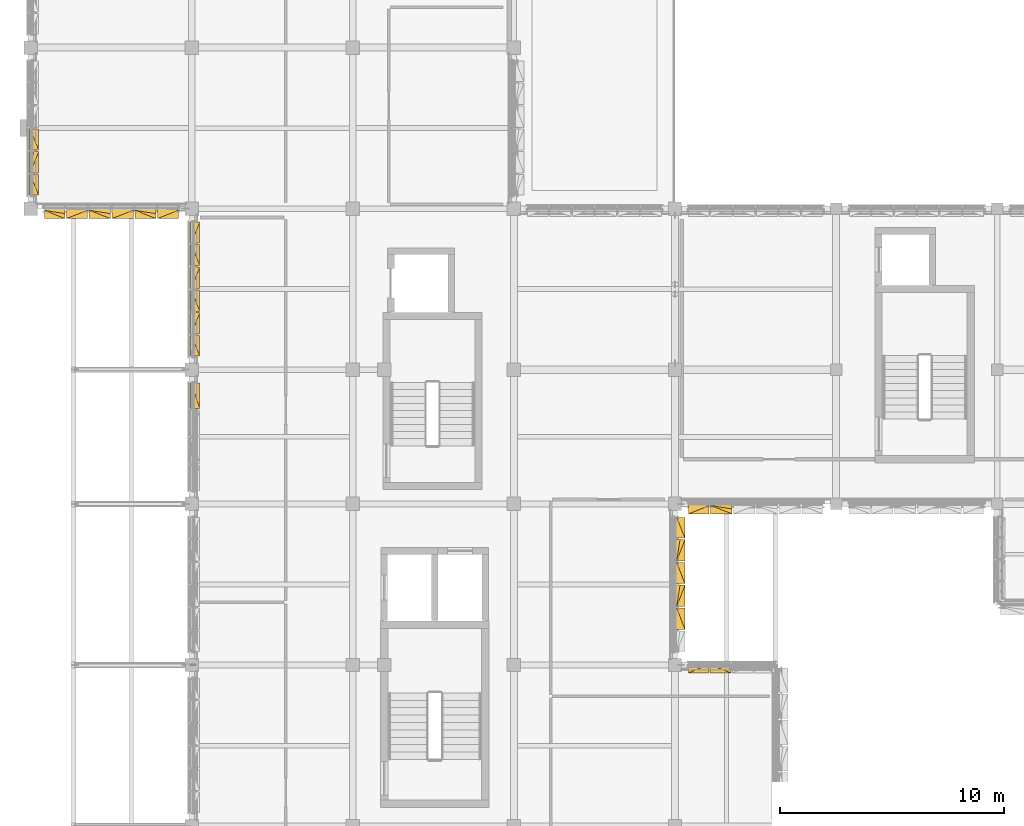
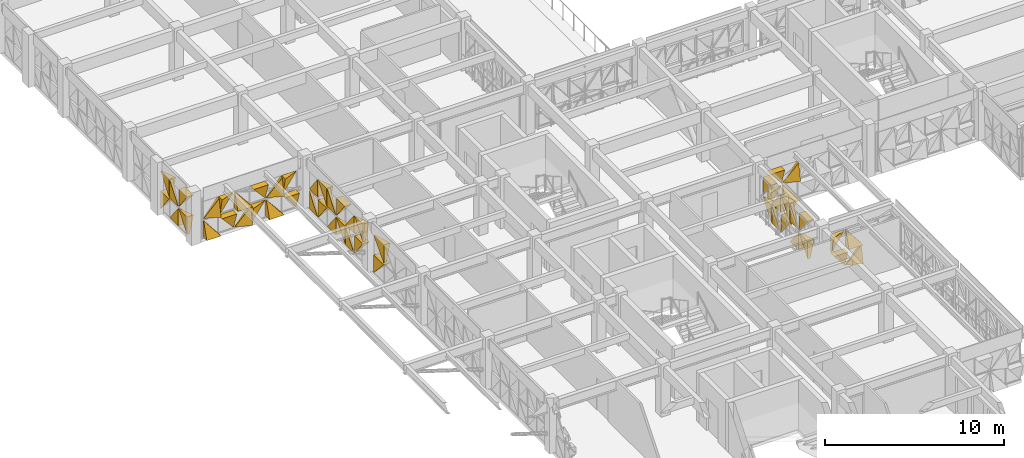
# One storey, part 90 of 99: 50 coverings.
"""IFC4 building model written with IfcOpenShell, lengths in metres."""

import ifcopenshell
import ifcopenshell.guid

model = None  # the IFC model being written
_history = None  # IfcOwnerHistory: only IFC2X3 demands one
_inside = {}  # id of a spatial element -> (the spatial element, [elements in it])
_under = {}  # id of a project, library or spatial element -> (it, [spatial elements below it])
_declared = {}  # id of a project -> (the project, [libraries it declares])
_typed = {}  # id of a type object -> (the type object, [elements of that type])
_made_of = {}  # id of a material, layer set ... -> (it, [elements and type objects made of it])


def new_model(schema):
    """Start an empty IFC model of exactly this schema.

    Asked for "IFC4X3", IfcOpenShell would pick the latest addendum, in which some entities
    have other attributes; the version numbers below select the first issue.
    IFC2X3 requires an IfcOwnerHistory on every rooted entity: one is made here for all.
    """
    global model, _history
    if schema == "IFC4X3":
        model = ifcopenshell.file(schema_version=(4, 3, 0, 0))
    else:
        model = ifcopenshell.file(schema=schema)
    _inside.clear()
    _under.clear()
    _declared.clear()
    _typed.clear()
    _made_of.clear()
    _history = None
    if model.schema == "IFC2X3":
        org = make("IfcOrganization", Name="unknown")
        user = make(
            "IfcPersonAndOrganization",
            ThePerson=make("IfcPerson", FamilyName="unknown"),
            TheOrganization=org,
        )
        app = make(
            "IfcApplication",
            ApplicationDeveloper=org,
            Version="unknown",
            ApplicationFullName="unknown",
            ApplicationIdentifier="unknown",
        )
        _history = make(
            "IfcOwnerHistory",
            OwningUser=user,
            OwningApplication=app,
            ChangeAction="ADDED",
            CreationDate=0,
        )
    return model


def make(cls, **values):
    """One entity of the class cls with the attributes given. An attribute that is None is left unset."""
    return model.create_entity(
        cls, **{name: value for name, value in values.items() if value is not None}
    )


def rooted(cls, **values):
    """An entity with a GlobalId (a new one), such as an element, a storey or a relation."""
    return make(cls, GlobalId=ifcopenshell.guid.new(), OwnerHistory=_history, **values)


def si_unit(unit_type, name, prefix=None):
    """IfcSIUnit, for example si_unit("LENGTHUNIT", "METRE", prefix="MILLI")."""
    return make("IfcSIUnit", UnitType=unit_type, Prefix=prefix, Name=name)


def assignment(units):
    """IfcUnitAssignment: the units of a project."""
    return None if units is None else make("IfcUnitAssignment", Units=units)


def point(xyz):
    """IfcCartesianPoint."""
    return None if xyz is None else make("IfcCartesianPoint", Coordinates=xyz)


def direction(xyz):
    """IfcDirection."""
    return None if xyz is None else make("IfcDirection", DirectionRatios=xyz)


def frame(location, z_axis=None, x_axis=None):
    """IfcAxis2Placement3D, a coordinate frame: its origin and axes. An axis left out is left unset."""
    return make(
        "IfcAxis2Placement3D",
        Location=point(location),
        Axis=direction(z_axis),
        RefDirection=direction(x_axis),
    )


def origin():
    """The frame at (0, 0, 0) with its axes left unset."""
    return frame((0.0, 0.0, 0.0))


def place(relative_to, where):
    """IfcLocalPlacement: puts the frame where relative to a parent placement (None: the world)."""
    return make(
        "IfcLocalPlacement", PlacementRelTo=relative_to, RelativePlacement=where
    )


def context(
    kind, dimensions, precision=None, world=None, true_north=None, identifier=None
):
    """IfcGeometricRepresentationContext, for example the 3D "Model" context."""
    return make(
        "IfcGeometricRepresentationContext",
        ContextIdentifier=identifier,
        ContextType=kind,
        CoordinateSpaceDimension=dimensions,
        Precision=precision,
        WorldCoordinateSystem=world,
        TrueNorth=true_north,
    )


def subcontext(parent, identifier, kind, view, scale=None):
    """IfcGeometricRepresentationSubContext, for example "Body" below "Model"."""
    return make(
        "IfcGeometricRepresentationSubContext",
        ContextIdentifier=identifier,
        ContextType=kind,
        ParentContext=parent,
        TargetScale=scale,
        TargetView=view,
    )


def project(units=None, contexts=None):
    """IfcProject with its units and contexts."""
    return rooted(
        "IfcProject",
        Name="project",
        RepresentationContexts=contexts,
        UnitsInContext=assignment(units),
    )


def spatial(cls, under=None, at=None, **own):
    """A site, building, storey or space (cls), placed at a placement, below another one or the project."""
    s = rooted(cls, ObjectPlacement=at, **own)
    if under is not None:
        _under.setdefault(under.id(), (under, []))[1].append(s)
    return s


def point_list(points):
    """IfcCartesianPointList2D or 3D."""
    cls = (
        "IfcCartesianPointList2D" if len(points[0]) == 2 else "IfcCartesianPointList3D"
    )
    return make(cls, CoordList=points)


def polygons(points, faces, closed=None, point_numbers=None):
    """IfcPolygonalFaceSet: a face is its outer loop, then its inner loops; points numbered from 1."""
    made = []
    for loops in faces:
        if len(loops) == 1:
            made.append(make("IfcIndexedPolygonalFace", CoordIndex=loops[0]))
        else:
            made.append(
                make(
                    "IfcIndexedPolygonalFaceWithVoids",
                    CoordIndex=loops[0],
                    InnerCoordIndices=loops[1:],
                )
            )
    return make(
        "IfcPolygonalFaceSet",
        Coordinates=point_list(points),
        Closed=closed,
        Faces=made,
        PnIndex=point_numbers,
    )


def shape(context_of_items, identifier, shape_type, items):
    """IfcShapeRepresentation: the items that make up one representation, for example the "Body"."""
    return make(
        "IfcShapeRepresentation",
        ContextOfItems=context_of_items,
        RepresentationIdentifier=identifier,
        RepresentationType=shape_type,
        Items=items,
    )


def material(Name=None, Category=None):
    """IfcMaterial."""
    return make("IfcMaterial", Name=Name, Category=Category)


def layer(
    of_material, thickness, ventilated=None, Name=None, Category=None, Priority=None
):
    """IfcMaterialLayer: one layer of a wall or slab, of a material (None: an air gap)."""
    return make(
        "IfcMaterialLayer",
        Material=of_material,
        LayerThickness=thickness,
        IsVentilated=ventilated,
        Name=Name,
        Category=Category,
        Priority=Priority,
    )


def layer_set(layers, Name=None):
    """IfcMaterialLayerSet."""
    return make("IfcMaterialLayerSet", MaterialLayers=layers, LayerSetName=Name)


def made_of(thing, what):
    """Note that an element or type object is made of a material, layer set ...; save() writes the relation."""
    if what is not None:
        _made_of.setdefault(what.id(), (what, []))[1].append(thing)
    return thing


def type_object(cls, material=None, **own):
    """A type object (cls), such as IfcWallType, which elements share."""
    return made_of(rooted(cls, **own), material)


def element(
    cls,
    number,
    at=None,
    inside=None,
    cuts=None,
    type_object=None,
    material=None,
    context=None,
    identifier="Body",
    shape_type=None,
    held_by="IfcProductDefinitionShape",
    body=None,
    shapes=None,
    **own,
):
    """One element of the class cls, such as IfcWall. Its Tag is "e" and its number.

    at: its placement. inside: the storey or other place that contains it. cuts: it is an
    opening in that element (IfcRelVoidsElement). A single representation is given by context,
    identifier, shape_type and body (its items); several are given by shapes. held_by: the class
    of the entity that holds the representations. save() writes the other relations.
    """
    e = rooted(cls, Tag="e%d" % number, ObjectPlacement=at, **own)
    if body is not None:
        shapes = [shape(context, identifier, shape_type, body)]
    if shapes is not None:
        e.Representation = make(held_by, Representations=shapes)
    if inside is not None:
        _inside.setdefault(inside.id(), (inside, []))[1].append(e)
    if cuts is not None:
        rooted(
            "IfcRelVoidsElement", RelatingBuildingElement=cuts, RelatedOpeningElement=e
        )
    if type_object is not None:
        _typed.setdefault(type_object.id(), (type_object, []))[1].append(e)
    return made_of(e, material)


def aggregate(whole, parts):
    """IfcRelAggregates: a whole, such as a stair, and the parts it consists of."""
    return rooted("IfcRelAggregates", RelatingObject=whole, RelatedObjects=parts)


def save(model, path):
    """Write the relations noted so far, then the file.

    IfcRelAggregates (storeys below a building ...), IfcRelContainedInSpatialStructure (elements
    in a storey), IfcRelDefinesByType, IfcRelAssociatesMaterial and IfcRelDeclares: one each for
    every whole, place, type object, material and project.
    """
    for whole, parts in _under.values():
        aggregate(whole, parts)
    for where, things in _inside.values():
        rooted(
            "IfcRelContainedInSpatialStructure",
            RelatedElements=things,
            RelatingStructure=where,
        )
    for kind, things in _typed.values():
        rooted("IfcRelDefinesByType", RelatedObjects=things, RelatingType=kind)
    for what, things in _made_of.values():
        rooted("IfcRelAssociatesMaterial", RelatedObjects=things, RelatingMaterial=what)
    for by, libraries in _declared.values():
        rooted("IfcRelDeclares", RelatingContext=by, RelatedDefinitions=libraries)
    model.write(path)


model = new_model("IFC4")

# Units and contexts
model_context = context("Model", 3, precision=1e-05, world=origin(), true_north=direction((0.0, 1.0)))
body_context = subcontext(model_context, "Body", "Model", "MODEL_VIEW")
ifc_project = project(units=[si_unit("LENGTHUNIT", "METRE"), si_unit("AREAUNIT", "SQUARE_METRE"), si_unit("VOLUMEUNIT", "CUBIC_METRE"), si_unit("PLANEANGLEUNIT", "RADIAN"), si_unit("MASSUNIT", "GRAM", prefix="KILO")], contexts=[model_context])

# Site, building, storey
site_placement = place(None, origin())
site = spatial("IfcSite", under=ifc_project, at=site_placement, CompositionType="ELEMENT")
building_placement = place(site_placement, origin())
building = spatial("IfcBuilding", under=site, at=building_placement, Name="Alvorim Cloister Faculty of Sciences", CompositionType="ELEMENT")
storey_placement = place(building_placement, frame((0.0, 0.0, 12.14990234375)))
storey = spatial("IfcBuildingStorey", under=building, at=storey_placement, Name="L03", CompositionType="ELEMENT", Elevation=12.14990234375)

# Coverings
ifc_material = material(Name="Perforated Bronze Alloy Sheet", Category="metal")
ifc_layer = layer(ifc_material, 0.0380859375)
ifc_layer_set = layer_set([ifc_layer], Name="Perforated Bronze Alloy Sheet")
covering_type = type_object("IfcCoveringType", Name="COV-TRI-BRZ", PredefinedType="CLADDING", material=ifc_layer_set)
covering_1_placement = place(storey_placement, frame((7.155029296875, 47.46240234375, 0.14013671875), z_axis=(0.0, 0.0, 1.0), x_axis=(0.0, 1.0, 0.0)))
element("IfcCovering", 1, at=covering_1_placement, inside=storey, type_object=covering_type, Name="Diagonal Solid Metal Triangle TRI-TR", PredefinedType="CLADDING", context=body_context, shape_type="Tessellation", body=[
    polygons([(1.132568359375, 0.0260009765625, 0.002), (1.132568359375, 0.0260009765625, 1.21484375), (0.002, 0.0260009765625, 1.21484375), (1.132568359375, -0.03, 0.002), (1.132568359375, -0.4, 1.21484375), (0.002, -0.4, 1.21484375)], [[[1, 3, 2]], [[4, 5, 6]], [[1, 2, 5, 4]], [[2, 3, 6, 5]], [[3, 1, 4, 6]]], closed=True),
])
covering_2_placement = place(storey_placement, frame((7.155029296875, 47.46240234375, 1.4951171875), z_axis=(0.0, 0.0, 1.0), x_axis=(0.0, 1.0, 0.0)))
element("IfcCovering", 2, at=covering_2_placement, inside=storey, type_object=covering_type, Name="Diagonal Solid Metal Triangle TRI-TL", PredefinedType="CLADDING", context=body_context, shape_type="Tessellation", body=[
    polygons([(1.130568359375, 0.0260009765625, 1.215087890625), (0.0, 0.0260009765625, 1.215087890625), (0.0, 0.0260009765625, 0.002), (1.130568359375, -0.03, 1.215087890625), (0.0, -0.4, 1.215087890625), (0.0, -0.13999999999999999, 0.002)], [[[1, 3, 2]], [[4, 5, 6]], [[1, 2, 5, 4]], [[2, 3, 6, 5]], [[3, 1, 4, 6]]], closed=True),
])
covering_3_placement = place(storey_placement, frame((7.155029296875, 49.804931640625, 0.14013671875), z_axis=(0.0, 0.0, 1.0), x_axis=(0.0, 1.0, 0.0)))
element("IfcCovering", 3, at=covering_3_placement, inside=storey, type_object=covering_type, Name="Diagonal Solid Metal Triangle TRI-TR", PredefinedType="CLADDING", context=body_context, shape_type="Tessellation", body=[
    polygons([(0.922607421875, 0.0260009765625, 0.002), (0.922607421875, 0.0260009765625, 1.21484375), (0.002, 0.0260009765625, 1.21484375), (0.922607421875, -0.03, 0.002), (0.922607421875, -0.4, 1.21484375), (0.002, -0.4, 1.21484375)], [[[1, 3, 2]], [[4, 5, 6]], [[1, 2, 5, 4]], [[2, 3, 6, 5]], [[3, 1, 4, 6]]], closed=True),
])
covering_4_placement = place(storey_placement, frame((7.155029296875, 49.804931640625, 1.4951171875), z_axis=(0.0, 0.0, 1.0), x_axis=(0.0, 1.0, 0.0)))
element("IfcCovering", 4, at=covering_4_placement, inside=storey, type_object=covering_type, Name="Diagonal Solid Metal Triangle TRI-TL", PredefinedType="CLADDING", context=body_context, shape_type="Tessellation", body=[
    polygons([(0.920607421875, 0.0260009765625, 1.215087890625), (0.0, 0.0260009765625, 1.215087890625), (0.0, 0.0260009765625, 0.002), (0.920607421875, -0.03, 1.215087890625), (0.0, -0.4, 1.215087890625), (0.0, -0.13999999999999999, 0.002)], [[[1, 3, 2]], [[4, 5, 6]], [[1, 2, 5, 4]], [[2, 3, 6, 5]], [[3, 1, 4, 6]]], closed=True),
])
covering_5_placement = place(storey_placement, frame((7.155029296875, 50.79248046875, 0.14013671875), z_axis=(0.0, 0.0, 1.0), x_axis=(0.0, 1.0, 0.0)))
element("IfcCovering", 5, at=covering_5_placement, inside=storey, type_object=covering_type, Name="Diagonal Solid Metal Triangle TRI-BR", PredefinedType="CLADDING", context=body_context, shape_type="Tessellation", body=[
    polygons([(0.002, 0.0260009765625, 0.0), (0.955078125, 0.0260009765625, 0.0), (0.955078125, 0.0260009765625, 1.21284375), (0.002, -0.03, 0.0), (0.955078125, -0.4, 0.0), (0.955078125, -0.18000000000000002, 1.21284375)], [[[1, 3, 2]], [[4, 5, 6]], [[1, 2, 5, 4]], [[2, 3, 6, 5]], [[3, 1, 4, 6]]], closed=True),
])
covering_6_placement = place(storey_placement, frame((7.155029296875, 50.79248046875, 1.4951171875), z_axis=(0.0, 0.0, 1.0), x_axis=(0.0, 1.0, 0.0)))
element("IfcCovering", 6, at=covering_6_placement, inside=storey, type_object=covering_type, Name="Diagonal Solid Metal Triangle TRI-BL", PredefinedType="CLADDING", context=body_context, shape_type="Tessellation", body=[
    polygons([(0.0, 0.0260009765625, 0.0), (0.953078125, 0.0260009765625, 0.0), (0.0, 0.0260009765625, 1.213087890625), (0.0, -0.4, 0.0), (0.953078125, -0.4, 0.0), (0.0, -0.03, 1.213087890625)], [[[1, 3, 2]], [[4, 5, 6]], [[1, 2, 5, 4]], [[2, 3, 6, 5]], [[3, 1, 4, 6]]], closed=True),
])
covering_7_placement = place(storey_placement, frame((7.155029296875, 51.8125, 0.14013671875), z_axis=(0.0, 0.0, 1.0), x_axis=(0.0, 1.0, 0.0)))
element("IfcCovering", 7, at=covering_7_placement, inside=storey, type_object=covering_type, Name="Diagonal Solid Metal Triangle TRI-TL", PredefinedType="CLADDING", context=body_context, shape_type="Tessellation", body=[
    polygons([(0.953078125, 0.0260009765625, 1.21484375), (0.0, 0.0260009765625, 1.21484375), (0.0, 0.0260009765625, 0.002), (0.953078125, -0.03, 1.21484375), (0.0, -0.4, 1.21484375), (0.0, -0.13999999999999999, 0.002)], [[[1, 3, 2]], [[4, 5, 6]], [[1, 2, 5, 4]], [[2, 3, 6, 5]], [[3, 1, 4, 6]]], closed=True),
])
covering_8_placement = place(storey_placement, frame((7.155029296875, 51.8125, 1.4951171875), z_axis=(0.0, 0.0, 1.0), x_axis=(0.0, 1.0, 0.0)))
element("IfcCovering", 8, at=covering_8_placement, inside=storey, type_object=covering_type, Name="Diagonal Solid Metal Triangle TRI-TR", PredefinedType="CLADDING", context=body_context, shape_type="Tessellation", body=[
    polygons([(0.955078125, 0.0260009765625, 0.002), (0.955078125, 0.0260009765625, 1.215087890625), (0.002, 0.0260009765625, 1.215087890625), (0.955078125, -0.03, 0.002), (0.955078125, -0.4, 1.215087890625), (0.002, -0.4, 1.215087890625)], [[[1, 3, 2]], [[4, 5, 6]], [[1, 2, 5, 4]], [[2, 3, 6, 5]], [[3, 1, 4, 6]]], closed=True),
])
covering_9_placement = place(storey_placement, frame((7.155029296875, 52.83251953125, 0.14013671875), z_axis=(0.0, 0.0, 1.0), x_axis=(0.0, 1.0, 0.0)))
element("IfcCovering", 9, at=covering_9_placement, inside=storey, type_object=covering_type, Name="Diagonal Solid Metal Triangle TRI-BL", PredefinedType="CLADDING", context=body_context, shape_type="Tessellation", body=[
    polygons([(0.0, 0.0260009765625, 0.0), (0.953078125, 0.0260009765625, 0.0), (0.0, 0.0260009765625, 1.21284375), (0.0, -0.4, 0.0), (0.953078125, -0.4, 0.0), (0.0, -0.03, 1.21284375)], [[[1, 3, 2]], [[4, 5, 6]], [[1, 2, 5, 4]], [[2, 3, 6, 5]], [[3, 1, 4, 6]]], closed=True),
])
covering_10_placement = place(storey_placement, frame((7.155029296875, 52.83251953125, 1.4951171875), z_axis=(0.0, 0.0, 1.0), x_axis=(0.0, 1.0, 0.0)))
element("IfcCovering", 10, at=covering_10_placement, inside=storey, type_object=covering_type, Name="Diagonal Solid Metal Triangle TRI-BR", PredefinedType="CLADDING", context=body_context, shape_type="Tessellation", body=[
    polygons([(0.002, 0.0260009765625, 0.0), (0.955078125, 0.0260009765625, 0.0), (0.955078125, 0.0260009765625, 1.213087890625), (0.002, -0.03, 0.0), (0.955078125, -0.4, 0.0), (0.955078125, -0.18000000000000002, 1.213087890625)], [[[1, 3, 2]], [[4, 5, 6]], [[1, 2, 5, 4]], [[2, 3, 6, 5]], [[3, 1, 4, 6]]], closed=True),
])
covering_11_placement = place(storey_placement, frame((7.155029296875, 53.8525390625, 0.14013671875), z_axis=(0.0, 0.0, 1.0), x_axis=(0.0, 1.0, 0.0)))
element("IfcCovering", 11, at=covering_11_placement, inside=storey, type_object=covering_type, Name="Diagonal Solid Metal Triangle TRI-TR", PredefinedType="CLADDING", context=body_context, shape_type="Tessellation", body=[
    polygons([(0.955078125, 0.0260009765625, 0.002), (0.955078125, 0.0260009765625, 1.21484375), (0.002, 0.0260009765625, 1.21484375), (0.955078125, -0.03, 0.002), (0.955078125, -0.4, 1.21484375), (0.002, -0.4, 1.21484375)], [[[1, 3, 2]], [[4, 5, 6]], [[1, 2, 5, 4]], [[2, 3, 6, 5]], [[3, 1, 4, 6]]], closed=True),
])
covering_12_placement = place(storey_placement, frame((7.155029296875, 53.8525390625, 1.4951171875), z_axis=(0.0, 0.0, 1.0), x_axis=(0.0, 1.0, 0.0)))
element("IfcCovering", 12, at=covering_12_placement, inside=storey, type_object=covering_type, Name="Diagonal Solid Metal Triangle TRI-TL", PredefinedType="CLADDING", context=body_context, shape_type="Tessellation", body=[
    polygons([(0.953078125, 0.0260009765625, 1.215087890625), (0.0, 0.0260009765625, 1.215087890625), (0.0, 0.0260009765625, 0.002), (0.953078125, -0.03, 1.215087890625), (0.0, -0.4, 1.215087890625), (0.0, -0.13999999999999999, 0.002)], [[[1, 3, 2]], [[4, 5, 6]], [[1, 2, 5, 4]], [[2, 3, 6, 5]], [[3, 1, 4, 6]]], closed=True),
])
covering_13_placement = place(storey_placement, frame((7.155029296875, 54.87255859375, 0.14013671875), z_axis=(0.0, 0.0, 1.0), x_axis=(0.0, 1.0, 0.0)))
element("IfcCovering", 13, at=covering_13_placement, inside=storey, type_object=covering_type, Name="Diagonal Solid Metal Triangle TRI-BR", PredefinedType="CLADDING", context=body_context, shape_type="Tessellation", body=[
    polygons([(0.002, 0.0260009765625, 0.0), (0.922607421875, 0.0260009765625, 0.0), (0.922607421875, 0.0260009765625, 1.21284375), (0.002, -0.03, 0.0), (0.922607421875, -0.4, 0.0), (0.922607421875, -0.18000000000000002, 1.21284375)], [[[1, 3, 2]], [[4, 5, 6]], [[1, 2, 5, 4]], [[2, 3, 6, 5]], [[3, 1, 4, 6]]], closed=True),
])
covering_14_placement = place(storey_placement, frame((7.155029296875, 54.87255859375, 1.4951171875), z_axis=(0.0, 0.0, 1.0), x_axis=(0.0, 1.0, 0.0)))
element("IfcCovering", 14, at=covering_14_placement, inside=storey, type_object=covering_type, Name="Diagonal Solid Metal Triangle TRI-BL", PredefinedType="CLADDING", context=body_context, shape_type="Tessellation", body=[
    polygons([(0.0, 0.0260009765625, 0.0), (0.920607421875, 0.0260009765625, 0.0), (0.0, 0.0260009765625, 1.213087890625), (0.0, -0.4, 0.0), (0.920607421875, -0.4, 0.0), (0.0, -0.03, 1.213087890625)], [[[1, 3, 2]], [[4, 5, 6]], [[1, 2, 5, 4]], [[2, 3, 6, 5]], [[3, 1, 4, 6]]], closed=True),
])
covering_15_placement = place(storey_placement, frame((0.60498046875, 56.35498046875, 0.14013671875), z_axis=(0.0, 0.0, 1.0), x_axis=(1.0, 0.0, 0.0)))
element("IfcCovering", 15, at=covering_15_placement, inside=storey, type_object=covering_type, Name="Diagonal Solid Metal Triangle TRI-BL", PredefinedType="CLADDING", context=body_context, shape_type="Tessellation", body=[
    polygons([(0.0, 0.0260009765625, 0.0), (0.920607421875, 0.0260009765625, 0.0), (0.0, 0.0260009765625, 1.14106640625), (0.0, -0.4, 0.0), (0.920607421875, -0.4, 0.0), (0.0, -0.03, 1.14106640625)], [[[1, 3, 2]], [[4, 5, 6]], [[1, 2, 5, 4]], [[2, 3, 6, 5]], [[3, 1, 4, 6]]], closed=True),
])
covering_16_placement = place(storey_placement, frame((0.60498046875, 56.35498046875, 1.423095703125), z_axis=(0.0, 0.0, 1.0), x_axis=(1.0, 0.0, 0.0)))
element("IfcCovering", 16, at=covering_16_placement, inside=storey, type_object=covering_type, Name="Diagonal Solid Metal Triangle TRI-BR", PredefinedType="CLADDING", context=body_context, shape_type="Tessellation", body=[
    polygons([(0.002, 0.0260009765625, 0.0), (0.922607421875, 0.0260009765625, 0.0), (0.922607421875, 0.0260009765625, 1.14106640625), (0.002, -0.03, 0.0), (0.922607421875, -0.4, 0.0), (0.922607421875, -0.18000000000000002, 1.14106640625)], [[[1, 3, 2]], [[4, 5, 6]], [[1, 2, 5, 4]], [[2, 3, 6, 5]], [[3, 1, 4, 6]]], closed=True),
])
covering_17_placement = place(storey_placement, frame((1.592529296875, 56.35498046875, 0.14013671875), z_axis=(0.0, 0.0, 1.0), x_axis=(1.0, 0.0, 0.0)))
element("IfcCovering", 17, at=covering_17_placement, inside=storey, type_object=covering_type, Name="Diagonal Solid Metal Triangle TRI-TR", PredefinedType="CLADDING", context=body_context, shape_type="Tessellation", body=[
    polygons([(0.955078125, 0.0260009765625, 0.002), (0.955078125, 0.0260009765625, 1.14306640625), (0.002, 0.0260009765625, 1.14306640625), (0.955078125, -0.03, 0.002), (0.955078125, -0.4, 1.14306640625), (0.002, -0.4, 1.14306640625)], [[[1, 3, 2]], [[4, 5, 6]], [[1, 2, 5, 4]], [[2, 3, 6, 5]], [[3, 1, 4, 6]]], closed=True),
])
covering_18_placement = place(storey_placement, frame((1.592529296875, 56.35498046875, 1.423095703125), z_axis=(0.0, 0.0, 1.0), x_axis=(1.0, 0.0, 0.0)))
element("IfcCovering", 18, at=covering_18_placement, inside=storey, type_object=covering_type, Name="Diagonal Solid Metal Triangle TRI-TL", PredefinedType="CLADDING", context=body_context, shape_type="Tessellation", body=[
    polygons([(0.953078125, 0.0260009765625, 1.14306640625), (0.0, 0.0260009765625, 1.14306640625), (0.0, 0.0260009765625, 0.002), (0.953078125, -0.03, 1.14306640625), (0.0, -0.4, 1.14306640625), (0.0, -0.13999999999999999, 0.002)], [[[1, 3, 2]], [[4, 5, 6]], [[1, 2, 5, 4]], [[2, 3, 6, 5]], [[3, 1, 4, 6]]], closed=True),
])
covering_19_placement = place(storey_placement, frame((2.612548828125, 56.35498046875, 0.14013671875), z_axis=(0.0, 0.0, 1.0), x_axis=(1.0, 0.0, 0.0)))
element("IfcCovering", 19, at=covering_19_placement, inside=storey, type_object=covering_type, Name="Diagonal Solid Metal Triangle TRI-BR", PredefinedType="CLADDING", context=body_context, shape_type="Tessellation", body=[
    polygons([(0.002, 0.0260009765625, 0.0), (0.955078125, 0.0260009765625, 0.0), (0.955078125, 0.0260009765625, 1.14106640625), (0.002, -0.03, 0.0), (0.955078125, -0.4, 0.0), (0.955078125, -0.18000000000000002, 1.14106640625)], [[[1, 3, 2]], [[4, 5, 6]], [[1, 2, 5, 4]], [[2, 3, 6, 5]], [[3, 1, 4, 6]]], closed=True),
])
covering_20_placement = place(storey_placement, frame((2.612548828125, 56.35498046875, 1.423095703125), z_axis=(0.0, 0.0, 1.0), x_axis=(1.0, 0.0, 0.0)))
element("IfcCovering", 20, at=covering_20_placement, inside=storey, type_object=covering_type, Name="Diagonal Solid Metal Triangle TRI-BL", PredefinedType="CLADDING", context=body_context, shape_type="Tessellation", body=[
    polygons([(0.0, 0.0260009765625, 0.0), (0.953078125, 0.0260009765625, 0.0), (0.0, 0.0260009765625, 1.14106640625), (0.0, -0.4, 0.0), (0.953078125, -0.4, 0.0), (0.0, -0.03, 1.14106640625)], [[[1, 3, 2]], [[4, 5, 6]], [[1, 2, 5, 4]], [[2, 3, 6, 5]], [[3, 1, 4, 6]]], closed=True),
])
covering_21_placement = place(storey_placement, frame((3.632568359375, 56.35498046875, 0.14013671875), z_axis=(0.0, 0.0, 1.0), x_axis=(1.0, 0.0, 0.0)))
element("IfcCovering", 21, at=covering_21_placement, inside=storey, type_object=covering_type, Name="Diagonal Solid Metal Triangle TRI-TL", PredefinedType="CLADDING", context=body_context, shape_type="Tessellation", body=[
    polygons([(0.953078125, 0.0260009765625, 1.14306640625), (0.0, 0.0260009765625, 1.14306640625), (0.0, 0.0260009765625, 0.002), (0.953078125, -0.03, 1.14306640625), (0.0, -0.4, 1.14306640625), (0.0, -0.13999999999999999, 0.002)], [[[1, 3, 2]], [[4, 5, 6]], [[1, 2, 5, 4]], [[2, 3, 6, 5]], [[3, 1, 4, 6]]], closed=True),
])
covering_22_placement = place(storey_placement, frame((3.632568359375, 56.35498046875, 1.423095703125), z_axis=(0.0, 0.0, 1.0), x_axis=(1.0, 0.0, 0.0)))
element("IfcCovering", 22, at=covering_22_placement, inside=storey, type_object=covering_type, Name="Diagonal Solid Metal Triangle TRI-TR", PredefinedType="CLADDING", context=body_context, shape_type="Tessellation", body=[
    polygons([(0.955078125, 0.0260009765625, 0.002), (0.955078125, 0.0260009765625, 1.14306640625), (0.002, 0.0260009765625, 1.14306640625), (0.955078125, -0.03, 0.002), (0.955078125, -0.4, 1.14306640625), (0.002, -0.4, 1.14306640625)], [[[1, 3, 2]], [[4, 5, 6]], [[1, 2, 5, 4]], [[2, 3, 6, 5]], [[3, 1, 4, 6]]], closed=True),
])
covering_23_placement = place(storey_placement, frame((4.652587890625, 56.35498046875, 0.14013671875), z_axis=(0.0, 0.0, 1.0), x_axis=(1.0, 0.0, 0.0)))
element("IfcCovering", 23, at=covering_23_placement, inside=storey, type_object=covering_type, Name="Diagonal Solid Metal Triangle TRI-BL", PredefinedType="CLADDING", context=body_context, shape_type="Tessellation", body=[
    polygons([(0.0, 0.0260009765625, 0.0), (0.953078125, 0.0260009765625, 0.0), (0.0, 0.0260009765625, 1.14106640625), (0.0, -0.4, 0.0), (0.953078125, -0.4, 0.0), (0.0, -0.03, 1.14106640625)], [[[1, 3, 2]], [[4, 5, 6]], [[1, 2, 5, 4]], [[2, 3, 6, 5]], [[3, 1, 4, 6]]], closed=True),
])
covering_24_placement = place(storey_placement, frame((4.652587890625, 56.35498046875, 1.423095703125), z_axis=(0.0, 0.0, 1.0), x_axis=(1.0, 0.0, 0.0)))
element("IfcCovering", 24, at=covering_24_placement, inside=storey, type_object=covering_type, Name="Diagonal Solid Metal Triangle TRI-BR", PredefinedType="CLADDING", context=body_context, shape_type="Tessellation", body=[
    polygons([(0.002, 0.0260009765625, 0.0), (0.955078125, 0.0260009765625, 0.0), (0.955078125, 0.0260009765625, 1.14106640625), (0.002, -0.03, 0.0), (0.955078125, -0.4, 0.0), (0.955078125, -0.18000000000000002, 1.14106640625)], [[[1, 3, 2]], [[4, 5, 6]], [[1, 2, 5, 4]], [[2, 3, 6, 5]], [[3, 1, 4, 6]]], closed=True),
])
covering_25_placement = place(storey_placement, frame((5.672607421875, 56.35498046875, 0.14013671875), z_axis=(0.0, 0.0, 1.0), x_axis=(1.0, 0.0, 0.0)))
element("IfcCovering", 25, at=covering_25_placement, inside=storey, type_object=covering_type, Name="Diagonal Solid Metal Triangle TRI-TR", PredefinedType="CLADDING", context=body_context, shape_type="Tessellation", body=[
    polygons([(0.922607421875, 0.0260009765625, 0.002), (0.922607421875, 0.0260009765625, 1.14306640625), (0.002, 0.0260009765625, 1.14306640625), (0.922607421875, -0.03, 0.002), (0.922607421875, -0.4, 1.14306640625), (0.002, -0.4, 1.14306640625)], [[[1, 3, 2]], [[4, 5, 6]], [[1, 2, 5, 4]], [[2, 3, 6, 5]], [[3, 1, 4, 6]]], closed=True),
])
covering_26_placement = place(storey_placement, frame((5.672607421875, 56.35498046875, 1.423095703125), z_axis=(0.0, 0.0, 1.0), x_axis=(1.0, 0.0, 0.0)))
element("IfcCovering", 26, at=covering_26_placement, inside=storey, type_object=covering_type, Name="Diagonal Solid Metal Triangle TRI-TL", PredefinedType="CLADDING", context=body_context, shape_type="Tessellation", body=[
    polygons([(0.920607421875, 0.0260009765625, 1.14306640625), (0.0, 0.0260009765625, 1.14306640625), (0.0, 0.0260009765625, 0.002), (0.920607421875, -0.03, 1.14306640625), (0.0, -0.4, 1.14306640625), (0.0, -0.13999999999999999, 0.002)], [[[1, 3, 2]], [[4, 5, 6]], [[1, 2, 5, 4]], [[2, 3, 6, 5]], [[3, 1, 4, 6]]], closed=True),
])
covering_27_placement = place(storey_placement, frame((-0.044921875, 57.0048828125, 0.14013671875), z_axis=(0.0, 0.0, 1.0), x_axis=(0.0, 1.0, 0.0)))
element("IfcCovering", 27, at=covering_27_placement, inside=storey, type_object=covering_type, Name="Diagonal Solid Metal Triangle TRI-TL", PredefinedType="CLADDING", context=body_context, shape_type="Tessellation", body=[
    polygons([(0.920607421875, 0.0260009765625, 1.21484375), (0.0, 0.0260009765625, 1.21484375), (0.0, 0.0260009765625, 0.002), (0.920607421875, -0.03, 1.21484375), (0.0, -0.4, 1.21484375), (0.0, -0.13999999999999999, 0.002)], [[[1, 3, 2]], [[4, 5, 6]], [[1, 2, 5, 4]], [[2, 3, 6, 5]], [[3, 1, 4, 6]]], closed=True),
])
covering_28_placement = place(storey_placement, frame((-0.044921875, 57.0048828125, 1.4951171875), z_axis=(0.0, 0.0, 1.0), x_axis=(0.0, 1.0, 0.0)))
element("IfcCovering", 28, at=covering_28_placement, inside=storey, type_object=covering_type, Name="Diagonal Solid Metal Triangle TRI-TR", PredefinedType="CLADDING", context=body_context, shape_type="Tessellation", body=[
    polygons([(0.922607421875, 0.0260009765625, 0.002), (0.922607421875, 0.0260009765625, 1.215087890625), (0.002, 0.0260009765625, 1.215087890625), (0.922607421875, -0.03, 0.002), (0.922607421875, -0.4, 1.215087890625), (0.002, -0.4, 1.215087890625)], [[[1, 3, 2]], [[4, 5, 6]], [[1, 2, 5, 4]], [[2, 3, 6, 5]], [[3, 1, 4, 6]]], closed=True),
])
covering_29_placement = place(storey_placement, frame((-0.044921875, 57.992431640625, 0.14013671875), z_axis=(0.0, 0.0, 1.0), x_axis=(0.0, 1.0, 0.0)))
element("IfcCovering", 29, at=covering_29_placement, inside=storey, type_object=covering_type, Name="Diagonal Solid Metal Triangle TRI-BL", PredefinedType="CLADDING", context=body_context, shape_type="Tessellation", body=[
    polygons([(0.0, 0.0260009765625, 0.0), (0.953078125, 0.0260009765625, 0.0), (0.0, 0.0260009765625, 1.21284375), (0.0, -0.4, 0.0), (0.953078125, -0.4, 0.0), (0.0, -0.03, 1.21284375)], [[[1, 3, 2]], [[4, 5, 6]], [[1, 2, 5, 4]], [[2, 3, 6, 5]], [[3, 1, 4, 6]]], closed=True),
])
covering_30_placement = place(storey_placement, frame((-0.044921875, 57.992431640625, 1.4951171875), z_axis=(0.0, 0.0, 1.0), x_axis=(0.0, 1.0, 0.0)))
element("IfcCovering", 30, at=covering_30_placement, inside=storey, type_object=covering_type, Name="Diagonal Solid Metal Triangle TRI-BR", PredefinedType="CLADDING", context=body_context, shape_type="Tessellation", body=[
    polygons([(0.002, 0.0260009765625, 0.0), (0.955078125, 0.0260009765625, 0.0), (0.955078125, 0.0260009765625, 1.213087890625), (0.002, -0.03, 0.0), (0.955078125, -0.4, 0.0), (0.955078125, -0.18000000000000002, 1.213087890625)], [[[1, 3, 2]], [[4, 5, 6]], [[1, 2, 5, 4]], [[2, 3, 6, 5]], [[3, 1, 4, 6]]], closed=True),
])
covering_31_placement = place(storey_placement, frame((-0.044921875, 59.012451171875, 0.14013671875), z_axis=(0.0, 0.0, 1.0), x_axis=(0.0, 1.0, 0.0)))
element("IfcCovering", 31, at=covering_31_placement, inside=storey, type_object=covering_type, Name="Diagonal Solid Metal Triangle TRI-TR", PredefinedType="CLADDING", context=body_context, shape_type="Tessellation", body=[
    polygons([(0.955078125, 0.0260009765625, 0.002), (0.955078125, 0.0260009765625, 1.21484375), (0.002, 0.0260009765625, 1.21484375), (0.955078125, -0.03, 0.002), (0.955078125, -0.4, 1.21484375), (0.002, -0.4, 1.21484375)], [[[1, 3, 2]], [[4, 5, 6]], [[1, 2, 5, 4]], [[2, 3, 6, 5]], [[3, 1, 4, 6]]], closed=True),
])
covering_32_placement = place(storey_placement, frame((-0.044921875, 59.012451171875, 1.4951171875), z_axis=(0.0, 0.0, 1.0), x_axis=(0.0, 1.0, 0.0)))
element("IfcCovering", 32, at=covering_32_placement, inside=storey, type_object=covering_type, Name="Diagonal Solid Metal Triangle TRI-TL", PredefinedType="CLADDING", context=body_context, shape_type="Tessellation", body=[
    polygons([(0.953078125, 0.0260009765625, 1.215087890625), (0.0, 0.0260009765625, 1.215087890625), (0.0, 0.0260009765625, 0.002), (0.953078125, -0.03, 1.215087890625), (0.0, -0.4, 1.215087890625), (0.0, -0.13999999999999999, 0.002)], [[[1, 3, 2]], [[4, 5, 6]], [[1, 2, 5, 4]], [[2, 3, 6, 5]], [[3, 1, 4, 6]]], closed=True),
])
covering_33_placement = place(storey_placement, frame((29.405029296875, 43.155029296875, 0.14013671875), z_axis=(0.0, 0.0, 1.0), x_axis=(1.0, 0.0, 0.0)))
element("IfcCovering", 33, at=covering_33_placement, inside=storey, type_object=covering_type, Name="Diagonal Solid Metal Triangle TRI-TL", PredefinedType="CLADDING", context=body_context, shape_type="Tessellation", body=[
    polygons([(0.920607421875, 0.0260009765625, 1.14306640625), (0.0, 0.0260009765625, 1.14306640625), (0.0, 0.0260009765625, 0.002), (0.920607421875, -0.03, 1.14306640625), (0.0, -0.4, 1.14306640625), (0.0, -0.13999999999999999, 0.002)], [[[1, 3, 2]], [[4, 5, 6]], [[1, 2, 5, 4]], [[2, 3, 6, 5]], [[3, 1, 4, 6]]], closed=True),
])
covering_34_placement = place(storey_placement, frame((29.405029296875, 43.155029296875, 1.423095703125), z_axis=(0.0, 0.0, 1.0), x_axis=(1.0, 0.0, 0.0)))
element("IfcCovering", 34, at=covering_34_placement, inside=storey, type_object=covering_type, Name="Diagonal Solid Metal Triangle TRI-TR", PredefinedType="CLADDING", context=body_context, shape_type="Tessellation", body=[
    polygons([(0.922607421875, 0.0260009765625, 0.002), (0.922607421875, 0.0260009765625, 1.14306640625), (0.002, 0.0260009765625, 1.14306640625), (0.922607421875, -0.03, 0.002), (0.922607421875, -0.4, 1.14306640625), (0.002, -0.4, 1.14306640625)], [[[1, 3, 2]], [[4, 5, 6]], [[1, 2, 5, 4]], [[2, 3, 6, 5]], [[3, 1, 4, 6]]], closed=True),
])
covering_35_placement = place(storey_placement, frame((30.392578125, 43.155029296875, 0.14013671875), z_axis=(0.0, 0.0, 1.0), x_axis=(1.0, 0.0, 0.0)))
element("IfcCovering", 35, at=covering_35_placement, inside=storey, type_object=covering_type, Name="Diagonal Solid Metal Triangle TRI-BL", PredefinedType="CLADDING", context=body_context, shape_type="Tessellation", body=[
    polygons([(0.0, 0.0260009765625, 0.0), (0.953078125, 0.0260009765625, 0.0), (0.0, 0.0260009765625, 1.14106640625), (0.0, -0.4, 0.0), (0.953078125, -0.4, 0.0), (0.0, -0.03, 1.14106640625)], [[[1, 3, 2]], [[4, 5, 6]], [[1, 2, 5, 4]], [[2, 3, 6, 5]], [[3, 1, 4, 6]]], closed=True),
])
covering_36_placement = place(storey_placement, frame((30.392578125, 43.155029296875, 1.423095703125), z_axis=(0.0, 0.0, 1.0), x_axis=(1.0, 0.0, 0.0)))
element("IfcCovering", 36, at=covering_36_placement, inside=storey, type_object=covering_type, Name="Diagonal Solid Metal Triangle TRI-BR", PredefinedType="CLADDING", context=body_context, shape_type="Tessellation", body=[
    polygons([(0.002, 0.0260009765625, 0.0), (0.955078125, 0.0260009765625, 0.0), (0.955078125, 0.0260009765625, 1.14106640625), (0.002, -0.03, 0.0), (0.955078125, -0.4, 0.0), (0.955078125, -0.18000000000000002, 1.14106640625)], [[[1, 3, 2]], [[4, 5, 6]], [[1, 2, 5, 4]], [[2, 3, 6, 5]], [[3, 1, 4, 6]]], closed=True),
])
covering_37_placement = place(storey_placement, frame((28.844970703125, 37.592529296875, 0.14013671875), z_axis=(0.0, 0.0, 1.0), x_axis=(0.0, 1.0, 0.0)))
element("IfcCovering", 37, at=covering_37_placement, inside=storey, type_object=covering_type, Name="Diagonal Solid Metal Triangle TRI-TL", PredefinedType="CLADDING", context=body_context, shape_type="Tessellation", body=[
    polygons([(0.953078125, 0.0260009765625, 1.21484375), (0.0, 0.0260009765625, 1.21484375), (0.0, 0.0260009765625, 0.002), (0.953078125, -0.03, 1.21484375), (0.0, -0.4, 1.21484375), (0.0, -0.13999999999999999, 0.002)], [[[1, 3, 2]], [[4, 5, 6]], [[1, 2, 5, 4]], [[2, 3, 6, 5]], [[3, 1, 4, 6]]], closed=True),
])
covering_38_placement = place(storey_placement, frame((28.844970703125, 37.592529296875, 1.4951171875), z_axis=(0.0, 0.0, 1.0), x_axis=(0.0, 1.0, 0.0)))
element("IfcCovering", 38, at=covering_38_placement, inside=storey, type_object=covering_type, Name="Diagonal Solid Metal Triangle TRI-TR", PredefinedType="CLADDING", context=body_context, shape_type="Tessellation", body=[
    polygons([(0.955078125, 0.0260009765625, 0.002), (0.955078125, 0.0260009765625, 1.215087890625), (0.002, 0.0260009765625, 1.215087890625), (0.955078125, -0.03, 0.002), (0.955078125, -0.4, 1.215087890625), (0.002, -0.4, 1.215087890625)], [[[1, 3, 2]], [[4, 5, 6]], [[1, 2, 5, 4]], [[2, 3, 6, 5]], [[3, 1, 4, 6]]], closed=True),
])
covering_39_placement = place(storey_placement, frame((28.844970703125, 38.612548828125, 0.14013671875), z_axis=(0.0, 0.0, 1.0), x_axis=(0.0, 1.0, 0.0)))
element("IfcCovering", 39, at=covering_39_placement, inside=storey, type_object=covering_type, Name="Diagonal Solid Metal Triangle TRI-BL", PredefinedType="CLADDING", context=body_context, shape_type="Tessellation", body=[
    polygons([(0.0, 0.0260009765625, 0.0), (0.953078125, 0.0260009765625, 0.0), (0.0, 0.0260009765625, 1.21284375), (0.0, -0.4, 0.0), (0.953078125, -0.4, 0.0), (0.0, -0.03, 1.21284375)], [[[1, 3, 2]], [[4, 5, 6]], [[1, 2, 5, 4]], [[2, 3, 6, 5]], [[3, 1, 4, 6]]], closed=True),
])
covering_40_placement = place(storey_placement, frame((28.844970703125, 38.612548828125, 1.4951171875), z_axis=(0.0, 0.0, 1.0), x_axis=(0.0, 1.0, 0.0)))
element("IfcCovering", 40, at=covering_40_placement, inside=storey, type_object=covering_type, Name="Diagonal Solid Metal Triangle TRI-BR", PredefinedType="CLADDING", context=body_context, shape_type="Tessellation", body=[
    polygons([(0.002, 0.0260009765625, 0.0), (0.955078125, 0.0260009765625, 0.0), (0.955078125, 0.0260009765625, 1.213087890625), (0.002, -0.03, 0.0), (0.955078125, -0.4, 0.0), (0.955078125, -0.18000000000000002, 1.213087890625)], [[[1, 3, 2]], [[4, 5, 6]], [[1, 2, 5, 4]], [[2, 3, 6, 5]], [[3, 1, 4, 6]]], closed=True),
])
covering_41_placement = place(storey_placement, frame((28.844970703125, 39.632568359375, 0.14013671875), z_axis=(0.0, 0.0, 1.0), x_axis=(0.0, 1.0, 0.0)))
element("IfcCovering", 41, at=covering_41_placement, inside=storey, type_object=covering_type, Name="Diagonal Solid Metal Triangle TRI-TR", PredefinedType="CLADDING", context=body_context, shape_type="Tessellation", body=[
    polygons([(0.955078125, 0.0260009765625, 0.002), (0.955078125, 0.0260009765625, 1.21484375), (0.002, 0.0260009765625, 1.21484375), (0.955078125, -0.03, 0.002), (0.955078125, -0.4, 1.21484375), (0.002, -0.4, 1.21484375)], [[[1, 3, 2]], [[4, 5, 6]], [[1, 2, 5, 4]], [[2, 3, 6, 5]], [[3, 1, 4, 6]]], closed=True),
])
covering_42_placement = place(storey_placement, frame((28.844970703125, 39.632568359375, 1.4951171875), z_axis=(0.0, 0.0, 1.0), x_axis=(0.0, 1.0, 0.0)))
element("IfcCovering", 42, at=covering_42_placement, inside=storey, type_object=covering_type, Name="Diagonal Solid Metal Triangle TRI-TL", PredefinedType="CLADDING", context=body_context, shape_type="Tessellation", body=[
    polygons([(0.953078125, 0.0260009765625, 1.215087890625), (0.0, 0.0260009765625, 1.215087890625), (0.0, 0.0260009765625, 0.002), (0.953078125, -0.03, 1.215087890625), (0.0, -0.4, 1.215087890625), (0.0, -0.13999999999999999, 0.002)], [[[1, 3, 2]], [[4, 5, 6]], [[1, 2, 5, 4]], [[2, 3, 6, 5]], [[3, 1, 4, 6]]], closed=True),
])
covering_43_placement = place(storey_placement, frame((28.844970703125, 40.652587890625, 0.14013671875), z_axis=(0.0, 0.0, 1.0), x_axis=(0.0, 1.0, 0.0)))
element("IfcCovering", 43, at=covering_43_placement, inside=storey, type_object=covering_type, Name="Diagonal Solid Metal Triangle TRI-BR", PredefinedType="CLADDING", context=body_context, shape_type="Tessellation", body=[
    polygons([(0.002, 0.0260009765625, 0.0), (0.955078125, 0.0260009765625, 0.0), (0.955078125, 0.0260009765625, 1.21284375), (0.002, -0.03, 0.0), (0.955078125, -0.4, 0.0), (0.955078125, -0.18000000000000002, 1.21284375)], [[[1, 3, 2]], [[4, 5, 6]], [[1, 2, 5, 4]], [[2, 3, 6, 5]], [[3, 1, 4, 6]]], closed=True),
])
covering_44_placement = place(storey_placement, frame((28.844970703125, 40.652587890625, 1.4951171875), z_axis=(0.0, 0.0, 1.0), x_axis=(0.0, 1.0, 0.0)))
element("IfcCovering", 44, at=covering_44_placement, inside=storey, type_object=covering_type, Name="Diagonal Solid Metal Triangle TRI-BL", PredefinedType="CLADDING", context=body_context, shape_type="Tessellation", body=[
    polygons([(0.0, 0.0260009765625, 0.0), (0.953078125, 0.0260009765625, 0.0), (0.0, 0.0260009765625, 1.213087890625), (0.0, -0.4, 0.0), (0.953078125, -0.4, 0.0), (0.0, -0.03, 1.213087890625)], [[[1, 3, 2]], [[4, 5, 6]], [[1, 2, 5, 4]], [[2, 3, 6, 5]], [[3, 1, 4, 6]]], closed=True),
])
covering_45_placement = place(storey_placement, frame((28.844970703125, 41.672607421875, 0.14013671875), z_axis=(0.0, 0.0, 1.0), x_axis=(0.0, 1.0, 0.0)))
element("IfcCovering", 45, at=covering_45_placement, inside=storey, type_object=covering_type, Name="Diagonal Solid Metal Triangle TRI-TL", PredefinedType="CLADDING", context=body_context, shape_type="Tessellation", body=[
    polygons([(0.920607421875, 0.0260009765625, 1.21484375), (0.0, 0.0260009765625, 1.21484375), (0.0, 0.0260009765625, 0.002), (0.920607421875, -0.03, 1.21484375), (0.0, -0.4, 1.21484375), (0.0, -0.13999999999999999, 0.002)], [[[1, 3, 2]], [[4, 5, 6]], [[1, 2, 5, 4]], [[2, 3, 6, 5]], [[3, 1, 4, 6]]], closed=True),
])
covering_46_placement = place(storey_placement, frame((28.844970703125, 41.672607421875, 1.4951171875), z_axis=(0.0, 0.0, 1.0), x_axis=(0.0, 1.0, 0.0)))
element("IfcCovering", 46, at=covering_46_placement, inside=storey, type_object=covering_type, Name="Diagonal Solid Metal Triangle TRI-TR", PredefinedType="CLADDING", context=body_context, shape_type="Tessellation", body=[
    polygons([(0.922607421875, 0.0260009765625, 0.002), (0.922607421875, 0.0260009765625, 1.215087890625), (0.002, 0.0260009765625, 1.215087890625), (0.922607421875, -0.03, 0.002), (0.922607421875, -0.4, 1.215087890625), (0.002, -0.4, 1.215087890625)], [[[1, 3, 2]], [[4, 5, 6]], [[1, 2, 5, 4]], [[2, 3, 6, 5]], [[3, 1, 4, 6]]], closed=True),
])
covering_47_placement = place(storey_placement, frame((29.405029296875, 36.044921875, 0.14013671875), z_axis=(0.0, 0.0, 1.0), x_axis=(1.0, 0.0, 0.0)))
element("IfcCovering", 47, at=covering_47_placement, inside=storey, type_object=covering_type, Name="Diagonal Solid Metal Triangle TRI-TR", PredefinedType="CLADDING", context=body_context, shape_type="Tessellation", body=[
    polygons([(0.8974609375, 0.0260009765625, 0.002), (0.8974609375, 0.0260009765625, 1.14306640625), (0.002, 0.0260009765625, 1.14306640625), (0.8974609375, -0.03, 0.002), (0.8974609375, -0.4, 1.14306640625), (0.002, -0.4, 1.14306640625)], [[[1, 3, 2]], [[4, 5, 6]], [[1, 2, 5, 4]], [[2, 3, 6, 5]], [[3, 1, 4, 6]]], closed=True),
])
covering_48_placement = place(storey_placement, frame((29.405029296875, 36.044921875, 1.423095703125), z_axis=(0.0, 0.0, 1.0), x_axis=(1.0, 0.0, 0.0)))
element("IfcCovering", 48, at=covering_48_placement, inside=storey, type_object=covering_type, Name="Diagonal Solid Metal Triangle TRI-TL", PredefinedType="CLADDING", context=body_context, shape_type="Tessellation", body=[
    polygons([(0.8954609375, 0.0260009765625, 1.14306640625), (0.0, 0.0260009765625, 1.14306640625), (0.0, 0.0260009765625, 0.002), (0.8954609375, -0.03, 1.14306640625), (0.0, -0.4, 1.14306640625), (0.0, -0.13999999999999999, 0.002)], [[[1, 3, 2]], [[4, 5, 6]], [[1, 2, 5, 4]], [[2, 3, 6, 5]], [[3, 1, 4, 6]]], closed=True),
])
covering_49_placement = place(storey_placement, frame((30.367431640625, 36.044921875, 0.14013671875), z_axis=(0.0, 0.0, 1.0), x_axis=(1.0, 0.0, 0.0)))
element("IfcCovering", 49, at=covering_49_placement, inside=storey, type_object=covering_type, Name="Diagonal Solid Metal Triangle TRI-BR", PredefinedType="CLADDING", context=body_context, shape_type="Tessellation", body=[
    polygons([(0.002, 0.0260009765625, 0.0), (0.929931640625, 0.0260009765625, 0.0), (0.929931640625, 0.0260009765625, 1.14106640625), (0.002, -0.03, 0.0), (0.929931640625, -0.4, 0.0), (0.929931640625, -0.18000000000000002, 1.14106640625)], [[[1, 3, 2]], [[4, 5, 6]], [[1, 2, 5, 4]], [[2, 3, 6, 5]], [[3, 1, 4, 6]]], closed=True),
])
covering_50_placement = place(storey_placement, frame((30.367431640625, 36.044921875, 1.423095703125), z_axis=(0.0, 0.0, 1.0), x_axis=(1.0, 0.0, 0.0)))
element("IfcCovering", 50, at=covering_50_placement, inside=storey, type_object=covering_type, Name="Diagonal Solid Metal Triangle TRI-BL", PredefinedType="CLADDING", context=body_context, shape_type="Tessellation", body=[
    polygons([(0.0, 0.0260009765625, 0.0), (0.927931640625, 0.0260009765625, 0.0), (0.0, 0.0260009765625, 1.14106640625), (0.0, -0.4, 0.0), (0.927931640625, -0.4, 0.0), (0.0, -0.03, 1.14106640625)], [[[1, 3, 2]], [[4, 5, 6]], [[1, 2, 5, 4]], [[2, 3, 6, 5]], [[3, 1, 4, 6]]], closed=True),
])

save(model, "model.ifc")
